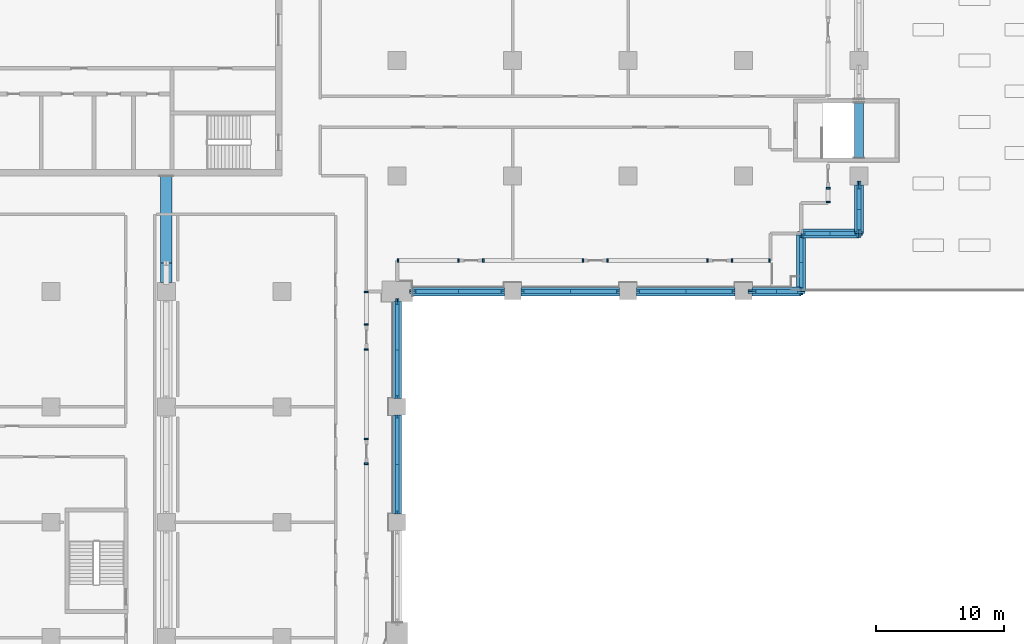
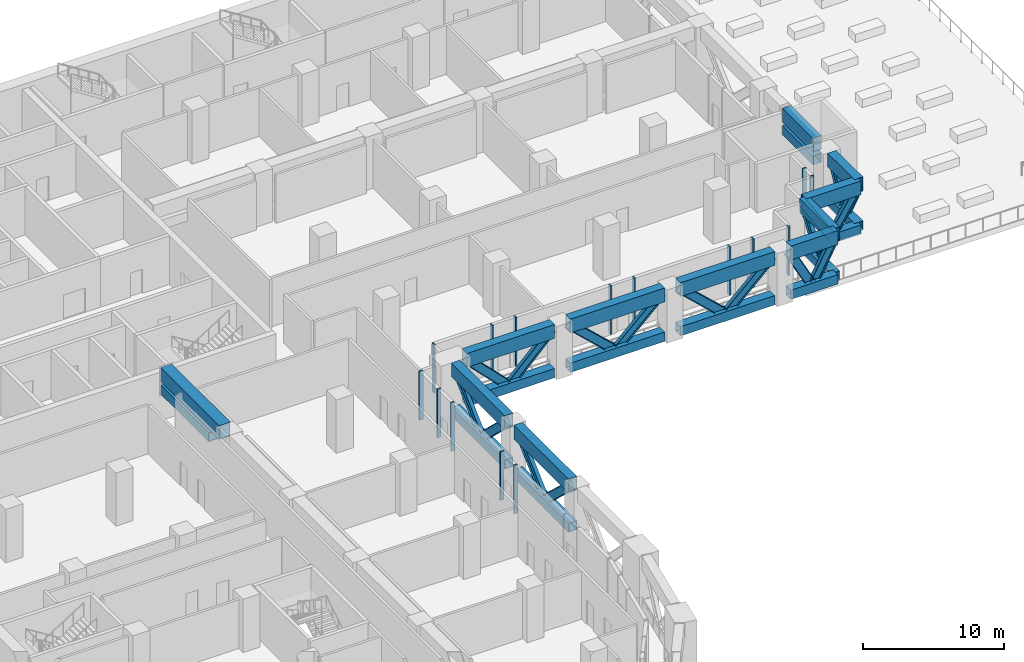
# One storey, part 3 of 24: 55 members.
"""IFC4 building model written with IfcOpenShell, lengths in metres."""

from ifc_helpers import new_model, si_unit, direction, frame, origin, origin_2d, place, context, subcontext, project, spatial, rectangle, hollow_rectangle, i_section, extrude, material, material_profile, profile_set, type_object, element, save


model = new_model("IFC4")

# Units and contexts
model_context = context("Model", 3, precision=1e-05, world=origin(), true_north=direction((0.0, 1.0)))
body_context = subcontext(model_context, "Body", "Model", "MODEL_VIEW")
ifc_project = project(units=[si_unit("LENGTHUNIT", "METRE"), si_unit("AREAUNIT", "SQUARE_METRE"), si_unit("VOLUMEUNIT", "CUBIC_METRE"), si_unit("PLANEANGLEUNIT", "RADIAN"), si_unit("MASSUNIT", "GRAM", prefix="KILO")], contexts=[model_context])

# Site, building, storey
site_placement = place(None, origin())
site = spatial("IfcSite", under=ifc_project, at=site_placement, CompositionType="ELEMENT")
building_placement = place(site_placement, origin())
building = spatial("IfcBuilding", under=site, at=building_placement, Name="Hunhe Ridgeline Campus", CompositionType="ELEMENT")
storey_placement = place(building_placement, frame((0.0, 0.0, 80.199951171875)))
storey = spatial("IfcBuildingStorey", under=building, at=storey_placement, Name="L19", CompositionType="ELEMENT", Elevation=80.199951171875)

# Members
ifc_material_1 = material(Name="Steel Q420", Category="steel")
ifc_material_profile_1 = material_profile(ifc_material_1, hollow_rectangle(XDim=0.699951171875, YDim=0.800048828125, WallThickness=0.0400390625, at=origin_2d()))
ifc_profile_set_1 = profile_set([ifc_material_profile_1], Name="Steel Q420")
member_type_1 = type_object("IfcMemberType", Name="Belt truss bottom chord Box 800x700x40 Steel Q420", PredefinedType="CHORD", material=ifc_profile_set_1)
member_1_placement = place(storey_placement, frame((45.0, 36.64990234375, 0.400146484375), z_axis=(0.0, 1.0, 0.0), x_axis=(-1.0, 0.0, 0.0)))
element("IfcMember", 1, at=member_1_placement, inside=storey, type_object=member_type_1, Name="Belt truss BT1 bottom chord L19 38", PredefinedType="CHORD", context=body_context, shape_type="SweptSolid", body=[
    extrude(hollow_rectangle(XDim=0.699951171875, YDim=0.800048828125, WallThickness=0.0400390625, at=origin_2d()), origin(), (0.0, 0.0, 1.0), 7.7001953125),
])
member_2_placement = place(storey_placement, frame((45.0, 45.64990234375, 0.400146484375), z_axis=(0.0, 1.0, 0.0), x_axis=(-1.0, 0.0, 0.0)))
element("IfcMember", 2, at=member_2_placement, inside=storey, type_object=member_type_1, Name="Belt truss BT1 bottom chord L19 42", PredefinedType="CHORD", context=body_context, shape_type="SweptSolid", body=[
    extrude(hollow_rectangle(XDim=0.699951171875, YDim=0.800048828125, WallThickness=0.0400390625, at=origin_2d()), origin(), (0.0, 0.0, 1.0), 7.550048828125),
])
member_3_placement = place(storey_placement, frame((46.199951171875, 54.0, 0.400146484375), z_axis=(1.0, 0.0, 0.0), x_axis=(0.0, 1.0, 0.0)))
element("IfcMember", 3, at=member_3_placement, inside=storey, type_object=member_type_1, Name="Belt truss BT1 bottom chord L19 46", PredefinedType="CHORD", context=body_context, shape_type="SweptSolid", body=[
    extrude(hollow_rectangle(XDim=0.699951171875, YDim=0.800048828125, WallThickness=0.0400390625, at=origin_2d()), origin(), (0.0, 0.0, 1.0), 7.150146484375),
])
for number, where, z_axis, x_axis, name in (
    (4, (54.64990234375, 54.0, 0.400146484375), (1.0, 0.0, 0.0), (0.0, 1.0, 0.0), "Belt truss BT1 bottom chord L19 50"),
    (5, (63.64990234375, 54.0, 0.400146484375), (1.0, 0.0, 0.0), (0.0, 1.0, 0.0), "Belt truss BT1 bottom chord L19 54"),
):
    element("IfcMember", number, at=place(storey_placement, frame(where, z_axis=z_axis, x_axis=x_axis)), inside=storey, type_object=member_type_1, Name=name, PredefinedType="CHORD", context=body_context, shape_type="SweptSolid", body=[
        extrude(hollow_rectangle(XDim=0.699951171875, YDim=0.800048828125, WallThickness=0.0400390625, at=origin_2d()), origin(), (0.0, 0.0, 1.0), 7.7001953125),
    ])
member_4_placement = place(storey_placement, frame((72.64990234375, 54.0, 0.400146484375), z_axis=(1.0, 0.0, 0.0), x_axis=(0.0, 1.0, 0.0)))
element("IfcMember", 6, at=member_4_placement, inside=storey, type_object=member_type_1, Name="Belt truss BT1 bottom chord L19 58", PredefinedType="CHORD", context=body_context, shape_type="SweptSolid", body=[
    extrude(hollow_rectangle(XDim=0.699951171875, YDim=0.800048828125, WallThickness=0.0400390625, at=origin_2d()), origin(), (0.0, 0.0, 1.0), 3.85009765625),
])
for number, where, z_axis, x_axis, name in (
    (7, (76.5, 54.0, 0.400146484375), (0.0, 1.0, 0.0), (-1.0, 0.0, 0.0), "Belt truss BT1 bottom chord L19 62"),
    (8, (76.5, 58.5, 0.400146484375), (1.0, 0.0, 0.0), (0.0, 1.0, 0.0), "Belt truss BT1 bottom chord L19 66"),
):
    element("IfcMember", number, at=place(storey_placement, frame(where, z_axis=z_axis, x_axis=x_axis)), inside=storey, type_object=member_type_1, Name=name, PredefinedType="CHORD", context=body_context, shape_type="SweptSolid", body=[
        extrude(hollow_rectangle(XDim=0.699951171875, YDim=0.800048828125, WallThickness=0.0400390625, at=origin_2d()), origin(), (0.0, 0.0, 1.0), 4.5),
    ])
member_5_placement = place(storey_placement, frame((81.0, 58.5, 0.400146484375), z_axis=(0.0, 1.0, 0.0), x_axis=(-1.0, 0.0, 0.0)))
element("IfcMember", 9, at=member_5_placement, inside=storey, type_object=member_type_1, Name="Belt truss BT1 bottom chord L19 70", PredefinedType="CHORD", context=body_context, shape_type="SweptSolid", body=[
    extrude(hollow_rectangle(XDim=0.699951171875, YDim=0.800048828125, WallThickness=0.0400390625, at=origin_2d()), origin(), (0.0, 0.0, 1.0), 3.800048828125),
])
member_6_placement = place(storey_placement, frame((81.0, 64.39990234375, 2.699951171875), z_axis=(0.0, 1.0, 0.0), x_axis=(-1.0, 0.0, 0.0)))
element("IfcMember", 10, at=member_6_placement, inside=storey, type_object=member_type_1, Name="Belt truss BT1 bottom chord L19 74", PredefinedType="CHORD", context=body_context, shape_type="SweptSolid", body=[
    extrude(hollow_rectangle(XDim=0.699951171875, YDim=0.800048828125, WallThickness=0.0400390625, at=origin_2d()), origin(), (0.0, 0.0, 1.0), 4.300048828125),
])
ifc_material_profile_2 = material_profile(ifc_material_1, i_section(OverallWidth=0.300048828125, OverallDepth=0.699951171875, WebThickness=0.012939453125, FlangeThickness=0.02392578125, FilletRadius=0.01806640625, at=origin_2d()))
ifc_profile_set_2 = profile_set([ifc_material_profile_2], Name="Steel Q420")
member_type_2 = type_object("IfcMemberType", Name="Belt truss diagonal HN700x300x13x24 Steel Q420", PredefinedType="BRACE", material=ifc_profile_set_2)
for number, where, z_axis, x_axis, name in (
    (11, (45.0, 36.64990234375, 4.0), (0.0, 0.730446562778, -0.682969852135), (-1.0, 0.0, 0.0), "Belt truss BT1 diagonal L19 39"),
    (12, (45.0, 40.5, 0.400146484375), (0.0, 0.730446562778, 0.682969852135), (-1.0, 0.0, 0.0), "Belt truss BT1 diagonal L19 40"),
):
    element("IfcMember", number, at=place(storey_placement, frame(where, z_axis=z_axis, x_axis=x_axis)), inside=storey, type_object=member_type_2, Name=name, PredefinedType="BRACE", context=body_context, shape_type="SweptSolid", body=[
        extrude(i_section(OverallWidth=0.300048828125, OverallDepth=0.699951171875, WebThickness=0.012939453125, FlangeThickness=0.02392578125, FilletRadius=0.01806640625, at=origin_2d()), origin(), (0.0, 0.0, 1.0), 5.27099609375),
    ])
for number, where, z_axis, x_axis, name in (
    (13, (45.0, 45.64990234375, 4.0), (0.0, 0.723709277154, -0.690104979088), (-1.0, 0.0, 0.0), "Belt truss BT1 diagonal L19 43"),
    (14, (45.0, 49.425048828125, 0.400146484375), (0.0, 0.723686986502, 0.690128354415), (-1.0, 0.0, 0.0), "Belt truss BT1 diagonal L19 44"),
):
    element("IfcMember", number, at=place(storey_placement, frame(where, z_axis=z_axis, x_axis=x_axis)), inside=storey, type_object=member_type_2, Name=name, PredefinedType="BRACE", context=body_context, shape_type="SweptSolid", body=[
        extrude(i_section(OverallWidth=0.300048828125, OverallDepth=0.699951171875, WebThickness=0.012939453125, FlangeThickness=0.02392578125, FilletRadius=0.01806640625, at=origin_2d()), origin(), (0.0, 0.0, 1.0), 5.21630859375),
    ])
for number, where, z_axis, x_axis, name in (
    (15, (46.199951171875, 54.0, 4.0), (0.704648307598, 0.0, -0.709556736702), (0.0, 1.0, 0.0), "Belt truss BT1 diagonal L19 47"),
    (16, (49.77490234375, 54.0, 0.400146484375), (0.704672534312, 0.0, 0.709532676757), (0.0, 1.0, 0.0), "Belt truss BT1 diagonal L19 48"),
):
    element("IfcMember", number, at=place(storey_placement, frame(where, z_axis=z_axis, x_axis=x_axis)), inside=storey, type_object=member_type_2, Name=name, PredefinedType="BRACE", context=body_context, shape_type="SweptSolid", body=[
        extrude(i_section(OverallWidth=0.300048828125, OverallDepth=0.699951171875, WebThickness=0.012939453125, FlangeThickness=0.02392578125, FilletRadius=0.01806640625, at=origin_2d()), origin(), (0.0, 0.0, 1.0), 5.073486328125),
    ])
for number, where, z_axis, x_axis, name in (
    (17, (54.64990234375, 54.0, 4.0), (0.730446562778, 0.0, -0.682969852135), (0.0, 1.0, 0.0), "Belt truss BT1 diagonal L19 51"),
    (18, (58.5, 54.0, 0.400146484375), (0.730446562778, 0.0, 0.682969852135), (0.0, 1.0, 0.0), "Belt truss BT1 diagonal L19 52"),
    (19, (63.64990234375, 54.0, 4.0), (0.730446562778, 0.0, -0.682969852135), (0.0, 1.0, 0.0), "Belt truss BT1 diagonal L19 55"),
    (20, (67.5, 54.0, 0.400146484375), (0.730446562778, 0.0, 0.682969852135), (0.0, 1.0, 0.0), "Belt truss BT1 diagonal L19 56"),
):
    element("IfcMember", number, at=place(storey_placement, frame(where, z_axis=z_axis, x_axis=x_axis)), inside=storey, type_object=member_type_2, Name=name, PredefinedType="BRACE", context=body_context, shape_type="SweptSolid", body=[
        extrude(i_section(OverallWidth=0.300048828125, OverallDepth=0.699951171875, WebThickness=0.012939453125, FlangeThickness=0.02392578125, FilletRadius=0.01806640625, at=origin_2d()), origin(), (0.0, 0.0, 1.0), 5.27099609375),
    ])
for number, where, z_axis, x_axis, name in (
    (21, (72.64990234375, 54.0, 4.0), (0.471565733919, 0.0, -0.8818309127), (0.0, 1.0, 0.0), "Belt truss BT1 diagonal L19 59"),
    (22, (74.574951171875, 54.0, 0.400146484375), (0.471565733919, 0.0, 0.8818309127), (0.0, 1.0, 0.0), "Belt truss BT1 diagonal L19 60"),
):
    element("IfcMember", number, at=place(storey_placement, frame(where, z_axis=z_axis, x_axis=x_axis)), inside=storey, type_object=member_type_2, Name=name, PredefinedType="BRACE", context=body_context, shape_type="SweptSolid", body=[
        extrude(i_section(OverallWidth=0.300048828125, OverallDepth=0.699951171875, WebThickness=0.012939453125, FlangeThickness=0.02392578125, FilletRadius=0.01806640625, at=origin_2d()), origin(), (0.0, 0.0, 1.0), 4.082275390625),
    ])
for number, where, z_axis, x_axis, name in (
    (23, (76.5, 54.0, 4.0), (0.0, 0.530014448296, -0.847988611125), (-1.0, 0.0, 0.0), "Belt truss BT1 diagonal L19 63"),
    (24, (76.5, 56.25, 0.400146484375), (0.0, 0.530014448296, 0.847988611125), (-1.0, 0.0, 0.0), "Belt truss BT1 diagonal L19 64"),
    (25, (76.5, 58.5, 4.0), (0.530014448296, 0.0, -0.847988611125), (0.0, 1.0, 0.0), "Belt truss BT1 diagonal L19 67"),
    (26, (78.75, 58.5, 0.400146484375), (0.530014448296, 0.0, 0.847988611125), (0.0, 1.0, 0.0), "Belt truss BT1 diagonal L19 68"),
):
    element("IfcMember", number, at=place(storey_placement, frame(where, z_axis=z_axis, x_axis=x_axis)), inside=storey, type_object=member_type_2, Name=name, PredefinedType="BRACE", context=body_context, shape_type="SweptSolid", body=[
        extrude(i_section(OverallWidth=0.300048828125, OverallDepth=0.699951171875, WebThickness=0.012939453125, FlangeThickness=0.02392578125, FilletRadius=0.01806640625, at=origin_2d()), origin(), (0.0, 0.0, 1.0), 4.2451171875),
    ])
for number, where, z_axis, x_axis, name in (
    (27, (81.0, 58.5, 4.0), (0.0, 0.466754710256, -0.884386816079), (-1.0, 0.0, 0.0), "Belt truss BT1 diagonal L19 71"),
    (28, (81.0, 60.39990234375, 0.400146484375), (0.0, 0.466801620076, 0.884362056793), (-1.0, 0.0, 0.0), "Belt truss BT1 diagonal L19 72"),
):
    element("IfcMember", number, at=place(storey_placement, frame(where, z_axis=z_axis, x_axis=x_axis)), inside=storey, type_object=member_type_2, Name=name, PredefinedType="BRACE", context=body_context, shape_type="SweptSolid", body=[
        extrude(i_section(OverallWidth=0.300048828125, OverallDepth=0.699951171875, WebThickness=0.012939453125, FlangeThickness=0.02392578125, FilletRadius=0.01806640625, at=origin_2d()), origin(), (0.0, 0.0, 1.0), 4.070556640625),
    ])
ifc_material_profile_3 = material_profile(ifc_material_1, hollow_rectangle(XDim=0.699951171875, YDim=1.199951171875, WallThickness=0.0400390625, at=origin_2d()))
ifc_profile_set_3 = profile_set([ifc_material_profile_3], Name="Steel Q420")
member_type_3 = type_object("IfcMemberType", Name="Belt truss top chord Box 1200x700x40 Steel Q420", PredefinedType="CHORD", material=ifc_profile_set_3)
member_7_placement = place(storey_placement, frame((45.0, 36.64990234375, 4.0), z_axis=(0.0, 1.0, 0.0), x_axis=(-1.0, 0.0, 0.0)))
element("IfcMember", 29, at=member_7_placement, inside=storey, type_object=member_type_3, Name="Belt truss BT1 top chord L19 37", PredefinedType="CHORD", context=body_context, shape_type="SweptSolid", body=[
    extrude(hollow_rectangle(XDim=0.699951171875, YDim=1.199951171875, WallThickness=0.0400390625, at=origin_2d()), origin(), (0.0, 0.0, 1.0), 7.7001953125),
])
member_8_placement = place(storey_placement, frame((45.0, 45.64990234375, 4.0), z_axis=(0.0, 1.0, 0.0), x_axis=(-1.0, 0.0, 0.0)))
element("IfcMember", 30, at=member_8_placement, inside=storey, type_object=member_type_3, Name="Belt truss BT1 top chord L19 41", PredefinedType="CHORD", context=body_context, shape_type="SweptSolid", body=[
    extrude(hollow_rectangle(XDim=0.699951171875, YDim=1.199951171875, WallThickness=0.0400390625, at=origin_2d()), origin(), (0.0, 0.0, 1.0), 7.550048828125),
])
member_9_placement = place(storey_placement, frame((46.199951171875, 54.0, 4.0), z_axis=(1.0, 0.0, 0.0), x_axis=(0.0, 1.0, 0.0)))
element("IfcMember", 31, at=member_9_placement, inside=storey, type_object=member_type_3, Name="Belt truss BT1 top chord L19 45", PredefinedType="CHORD", context=body_context, shape_type="SweptSolid", body=[
    extrude(hollow_rectangle(XDim=0.699951171875, YDim=1.199951171875, WallThickness=0.0400390625, at=origin_2d()), origin(), (0.0, 0.0, 1.0), 7.150146484375),
])
for number, where, z_axis, x_axis, name in (
    (32, (54.64990234375, 54.0, 4.0), (1.0, 0.0, 0.0), (0.0, 1.0, 0.0), "Belt truss BT1 top chord L19 49"),
    (33, (63.64990234375, 54.0, 4.0), (1.0, 0.0, 0.0), (0.0, 1.0, 0.0), "Belt truss BT1 top chord L19 53"),
):
    element("IfcMember", number, at=place(storey_placement, frame(where, z_axis=z_axis, x_axis=x_axis)), inside=storey, type_object=member_type_3, Name=name, PredefinedType="CHORD", context=body_context, shape_type="SweptSolid", body=[
        extrude(hollow_rectangle(XDim=0.699951171875, YDim=1.199951171875, WallThickness=0.0400390625, at=origin_2d()), origin(), (0.0, 0.0, 1.0), 7.7001953125),
    ])
member_10_placement = place(storey_placement, frame((72.64990234375, 54.0, 4.0), z_axis=(1.0, 0.0, 0.0), x_axis=(0.0, 1.0, 0.0)))
element("IfcMember", 34, at=member_10_placement, inside=storey, type_object=member_type_3, Name="Belt truss BT1 top chord L19 57", PredefinedType="CHORD", context=body_context, shape_type="SweptSolid", body=[
    extrude(hollow_rectangle(XDim=0.699951171875, YDim=1.199951171875, WallThickness=0.0400390625, at=origin_2d()), origin(), (0.0, 0.0, 1.0), 3.85009765625),
])
for number, where, z_axis, x_axis, name in (
    (35, (76.5, 54.0, 4.0), (0.0, 1.0, 0.0), (-1.0, 0.0, 0.0), "Belt truss BT1 top chord L19 61"),
    (36, (76.5, 58.5, 4.0), (1.0, 0.0, 0.0), (0.0, 1.0, 0.0), "Belt truss BT1 top chord L19 65"),
):
    element("IfcMember", number, at=place(storey_placement, frame(where, z_axis=z_axis, x_axis=x_axis)), inside=storey, type_object=member_type_3, Name=name, PredefinedType="CHORD", context=body_context, shape_type="SweptSolid", body=[
        extrude(hollow_rectangle(XDim=0.699951171875, YDim=1.199951171875, WallThickness=0.0400390625, at=origin_2d()), origin(), (0.0, 0.0, 1.0), 4.5),
    ])
member_11_placement = place(storey_placement, frame((81.0, 58.5, 4.0), z_axis=(0.0, 1.0, 0.0), x_axis=(-1.0, 0.0, 0.0)))
element("IfcMember", 37, at=member_11_placement, inside=storey, type_object=member_type_3, Name="Belt truss BT1 top chord L19 69", PredefinedType="CHORD", context=body_context, shape_type="SweptSolid", body=[
    extrude(hollow_rectangle(XDim=0.699951171875, YDim=1.199951171875, WallThickness=0.0400390625, at=origin_2d()), origin(), (0.0, 0.0, 1.0), 3.800048828125),
])
member_12_placement = place(storey_placement, frame((81.0, 64.39990234375, 4.0), z_axis=(0.0, 1.0, 0.0), x_axis=(-1.0, 0.0, 0.0)))
element("IfcMember", 38, at=member_12_placement, inside=storey, type_object=member_type_3, Name="Belt truss BT1 top chord L19 73", PredefinedType="CHORD", context=body_context, shape_type="SweptSolid", body=[
    extrude(hollow_rectangle(XDim=0.699951171875, YDim=1.199951171875, WallThickness=0.0400390625, at=origin_2d()), origin(), (0.0, 0.0, 1.0), 4.300048828125),
])
ifc_material_2 = material(Name="Aluminium 6063", Category="aluminium")
ifc_material_profile_4 = material_profile(ifc_material_2, rectangle(XDim=0.300048828125, YDim=0.1201171875, at=origin_2d()))
ifc_profile_set_4 = profile_set([ifc_material_profile_4], Name="Aluminium 6063")
member_type_4 = type_object("IfcMemberType", Name="Louvre frame jamb 120x300 Aluminium 6063", PredefinedType="USERDEFINED", material=ifc_profile_set_4)
for number, where, z_axis, x_axis, name in (
    (39, (42.59912109375, 40.55859375, 0.0), (0.0, 0.0, 1.0), (-0.99999999994, 1.0952884e-05, 0.0), "Louvre frame jamb 18b"),
    (40, (42.59912109375, 42.478515625, 0.0), (0.0, 0.0, 1.0), (-0.99999999994, 1.0952884e-05, 0.0), "Louvre frame jamb 19a"),
    (41, (42.599365234375, 49.47998046875, 0.0), (0.0, 0.0, 1.0), (-0.99999999994, 1.0952884e-05, 0.0), "Louvre frame jamb 19b"),
    (42, (42.599365234375, 51.39990234375, 0.0), (0.0, 0.0, 1.0), (-0.999999999941, 1.0899372e-05, 0.0), "Louvre frame jamb 20a"),
    (43, (42.599365234375, 53.940673828125, 0.0), (0.0, 0.0, 1.0), (-0.999999999941, 1.0899372e-05, 0.0), "Louvre frame jamb 20b"),
    (44, (45.059814453125, 56.40087890625, 0.0), (0.0, 0.0, 1.0), (-2.06193e-07, 1.0, 0.0), "Louvre frame jamb 21a"),
    (45, (49.789794921875, 56.40087890625, 0.0), (0.0, 0.0, 1.0), (-2.06193e-07, 1.0, 0.0), "Louvre frame jamb 21b"),
    (46, (51.709716796875, 56.40087890625, 0.0), (0.0, 0.0, 1.0), (-2.53177e-07, 1.0, 0.0), "Louvre frame jamb 22a"),
    (47, (59.489501953125, 56.40087890625, 0.0), (0.0, 0.0, 1.0), (-2.53177e-07, 1.0, 0.0), "Louvre frame jamb 22b"),
    (48, (61.409423828125, 56.40087890625, 0.0), (0.0, 0.0, 1.0), (-1.26589e-07, 1.0, 0.0), "Louvre frame jamb 23a"),
    (49, (69.189208984375, 56.40087890625, 0.0), (0.0, 0.0, 1.0), (-1.26589e-07, 1.0, 0.0), "Louvre frame jamb 23b"),
    (50, (71.109130859375, 56.40087890625, 0.0), (0.0, 0.0, 1.0), (-3.27878e-07, 1.0, 0.0), "Louvre frame jamb 24a"),
    (51, (74.0390625, 56.40087890625, 0.0), (0.0, 0.0, 1.0), (-3.27878e-07, 1.0, 0.0), "Louvre frame jamb 24b"),
    (52, (78.59912109375, 60.9609375, 0.0), (0.0, 0.0, 1.0), (-1.0, 0.0, 0.0), "Louvre frame jamb 25a"),
    (53, (78.59912109375, 62.040771484375, 0.0), (0.0, 0.0, 1.0), (-1.0, 0.0, 0.0), "Louvre frame jamb 25b"),
):
    element("IfcMember", number, at=place(storey_placement, frame(where, z_axis=z_axis, x_axis=x_axis)), inside=storey, type_object=member_type_4, Name=name, ObjectType="LOUVRE FRAME", PredefinedType="USERDEFINED", context=body_context, shape_type="SweptSolid", body=[
        extrude(rectangle(XDim=0.300048828125, YDim=0.1201171875, at=origin_2d()), origin(), (0.0, 0.0, 1.0), 4.199951171875),
    ])
ifc_material_profile_5 = material_profile(ifc_material_1, hollow_rectangle(XDim=0.89990234375, YDim=0.800048828125, WallThickness=0.050048828125, at=origin_2d()))
ifc_profile_set_5 = profile_set([ifc_material_profile_5], Name="Steel Q420")
member_type_5 = type_object("IfcMemberType", Name="Outrigger truss bottom chord Box 800x900x50 Steel Q420", PredefinedType="CHORD", material=ifc_profile_set_5)
member_13_placement = place(storey_placement, frame((27.0, 63.0, 2.699951171875), z_axis=(0.0, -1.0, 0.0), x_axis=(1.0, 0.0, 0.0)))
element("IfcMember", 54, at=member_13_placement, inside=storey, type_object=member_type_5, Name="Outrigger truss OR2 bottom chord L19 2", PredefinedType="CHORD", context=body_context, shape_type="SweptSolid", body=[
    extrude(hollow_rectangle(XDim=0.89990234375, YDim=0.800048828125, WallThickness=0.050048828125, at=origin_2d()), origin(), (0.0, 0.0, 1.0), 6.800048828125),
])
ifc_material_profile_6 = material_profile(ifc_material_1, hollow_rectangle(XDim=0.89990234375, YDim=1.199951171875, WallThickness=0.050048828125, at=origin_2d()))
ifc_profile_set_6 = profile_set([ifc_material_profile_6], Name="Steel Q420")
member_type_6 = type_object("IfcMemberType", Name="Outrigger truss top chord Box 1200x900x50 Steel Q420", PredefinedType="CHORD", material=ifc_profile_set_6)
member_14_placement = place(storey_placement, frame((27.0, 63.0, 4.0), z_axis=(0.0, -1.0, 0.0), x_axis=(1.0, 0.0, 0.0)))
element("IfcMember", 55, at=member_14_placement, inside=storey, type_object=member_type_6, Name="Outrigger truss OR2 top chord L19 1", PredefinedType="CHORD", context=body_context, shape_type="SweptSolid", body=[
    extrude(hollow_rectangle(XDim=0.89990234375, YDim=1.199951171875, WallThickness=0.050048828125, at=origin_2d()), origin(), (0.0, 0.0, 1.0), 8.300048828125),
])

save(model, "model.ifc")
